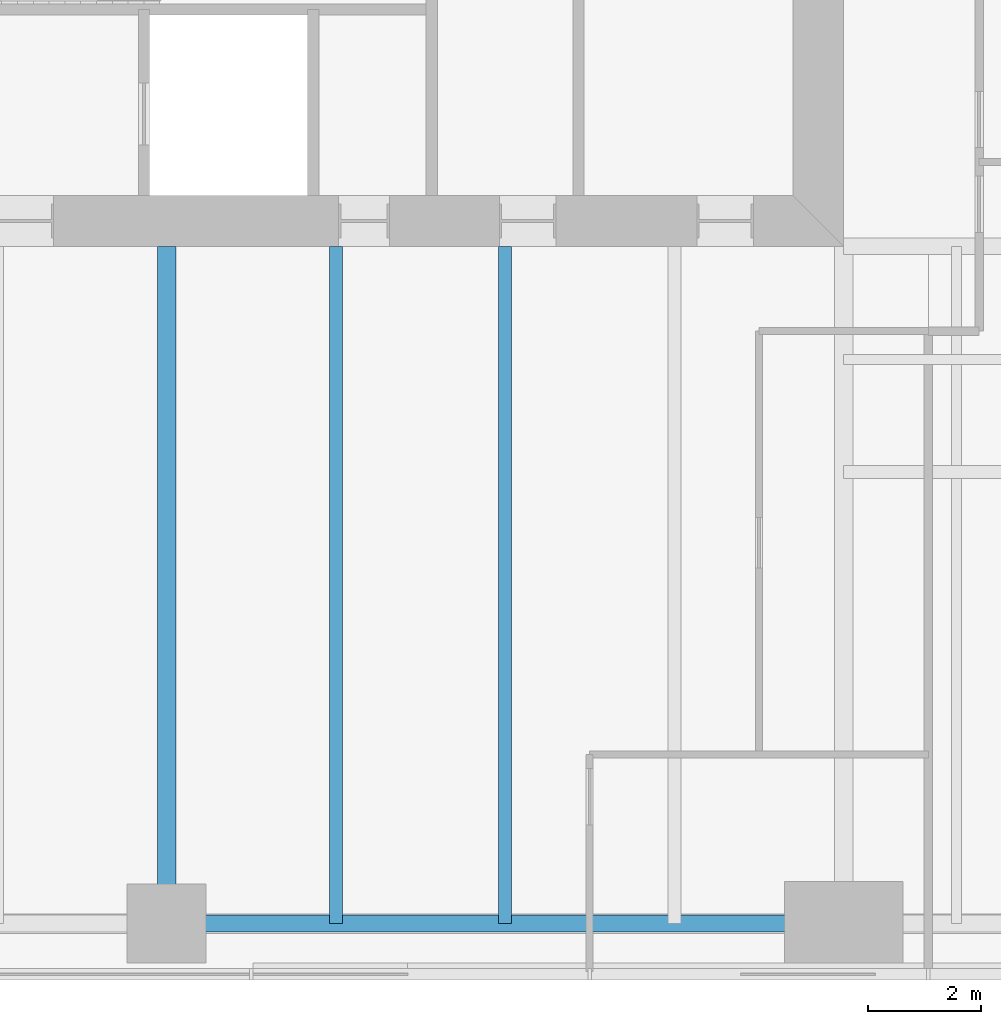
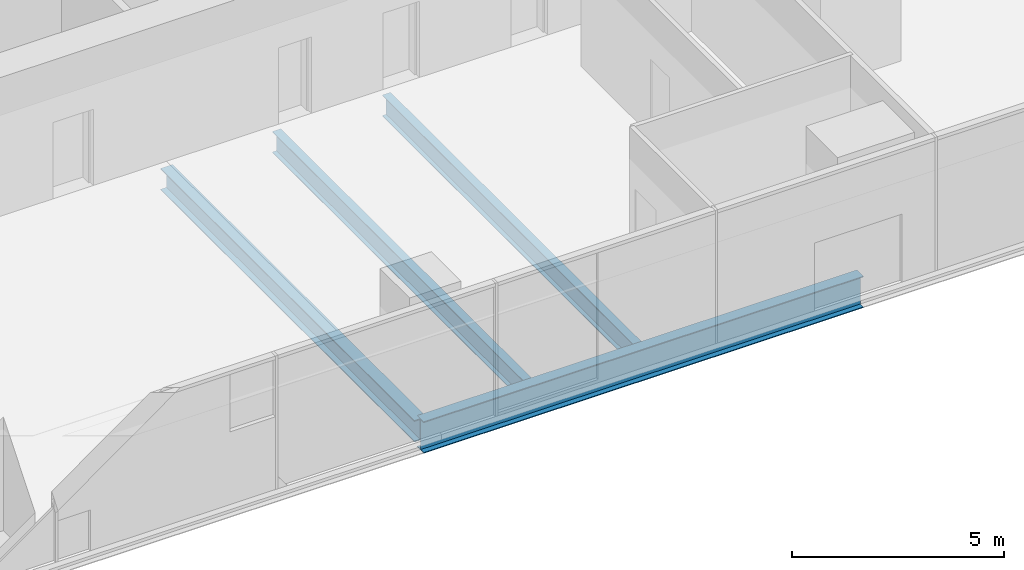
# One storey, part 3 of 14: 4 beams.
"""IFC4 building model written with IfcOpenShell, lengths in metres."""

from ifc_helpers import new_model, si_unit, direction, frame, origin, origin_2d, place, context, subcontext, project, spatial, i_section, extrude, material, material_profile, profile_set, type_object, element, save


model = new_model("IFC4")

# Units and contexts
model_context = context("Model", 3, precision=1e-05, world=origin(), true_north=direction((0.0, 1.0)))
body_context = subcontext(model_context, "Body", "Model", "MODEL_VIEW")
ifc_project = project(units=[si_unit("LENGTHUNIT", "METRE"), si_unit("AREAUNIT", "SQUARE_METRE"), si_unit("VOLUMEUNIT", "CUBIC_METRE"), si_unit("PLANEANGLEUNIT", "RADIAN"), si_unit("MASSUNIT", "GRAM", prefix="KILO")], contexts=[model_context])

# Site, building, storey
site_placement = place(None, origin())
site = spatial("IfcSite", under=ifc_project, at=site_placement, CompositionType="ELEMENT")
building_placement = place(site_placement, origin())
building = spatial("IfcBuilding", under=site, at=building_placement, Name="Fenwick Lantern Interchange", CompositionType="ELEMENT")
storey_placement = place(building_placement, frame((0.0, 0.0, 122.39990234375)))
storey = spatial("IfcBuildingStorey", under=building, at=storey_placement, Name="L28", CompositionType="ELEMENT", Elevation=122.39990234375)

# Beams
ifc_material = material(Name="Steel ASTM A992 Grade 50", Category="steel")
ifc_material_profile_1 = material_profile(ifc_material, i_section(OverallWidth=0.3046875, OverallDepth=0.911865234375, WebThickness=0.015869140625, FlangeThickness=0.02392578125, at=origin_2d()), Name="W36X150")
ifc_profile_set_1 = profile_set([ifc_material_profile_1], Name="Steel ASTM A992 Grade 50")
beam_type_1 = type_object("IfcBeamType", Name="EDGE BEAM W36X150", PredefinedType="SPANDREL", material=ifc_profile_set_1)
beam_1_placement = place(storey_placement, frame((25.0, 1.0, -0.605712890625), z_axis=(1.0, 0.0, 0.0), x_axis=(0.0, 1.0, 0.0)))
element("IfcBeam", 1, at=beam_1_placement, inside=storey, type_object=beam_type_1, Name="L28/FR/S/EB3", PredefinedType="SPANDREL", context=body_context, shape_type="SweptSolid", body=[
    extrude(i_section(OverallWidth=0.3046875, OverallDepth=0.911865234375, WebThickness=0.015869140625, FlangeThickness=0.02392578125, at=origin_2d()), origin(), (0.0, 0.0, 1.0), 12.0),
])
ifc_material_profile_2 = material_profile(ifc_material, i_section(OverallWidth=0.22900390625, OverallDepth=0.612060546875, WebThickness=0.011962890625, FlangeThickness=0.01953125, at=origin_2d()), Name="W24X84")
ifc_profile_set_2 = profile_set([ifc_material_profile_2], Name="Steel ASTM A992 Grade 50")
beam_type_2 = type_object("IfcBeamType", Name="FLOOR BEAM W24X84", PredefinedType="BEAM", material=ifc_profile_set_2)
for number, where, z_axis, x_axis, name in (
    (2, (28.0, 1.0, -0.4560546875), (0.0, 1.0, 0.0), (-1.0, 0.0, 0.0), "L28/FR/S/R06"),
    (3, (31.0, 1.0, -0.4560546875), (0.0, 1.0, 0.0), (-1.0, 0.0, 0.0), "L28/FR/S/R07"),
):
    element("IfcBeam", number, at=place(storey_placement, frame(where, z_axis=z_axis, x_axis=x_axis)), inside=storey, type_object=beam_type_2, Name=name, PredefinedType="BEAM", context=body_context, shape_type="SweptSolid", body=[
        extrude(i_section(OverallWidth=0.22900390625, OverallDepth=0.612060546875, WebThickness=0.011962890625, FlangeThickness=0.01953125, at=origin_2d()), origin(), (0.0, 0.0, 1.0), 12.0),
    ])
ifc_material_profile_3 = material_profile(ifc_material, i_section(OverallWidth=0.32763671875, OverallDepth=0.622314453125, WebThickness=0.015380859375, FlangeThickness=0.0244140625, at=origin_2d()), Name="W24X131")
ifc_profile_set_3 = profile_set([ifc_material_profile_3], Name="Steel ASTM A992 Grade 50")
beam_type_3 = type_object("IfcBeamType", Name="MOMENT-CONNECTED GIRDER W24X131", PredefinedType="BEAM", material=ifc_profile_set_3)
beam_2_placement = place(storey_placement, frame((25.0, 1.0, -0.4609375), z_axis=(0.0, 1.0, 0.0), x_axis=(-1.0, 0.0, 0.0)))
element("IfcBeam", 4, at=beam_2_placement, inside=storey, type_object=beam_type_3, Name="L28/FR/S/R05", PredefinedType="BEAM", context=body_context, shape_type="SweptSolid", body=[
    extrude(i_section(OverallWidth=0.32763671875, OverallDepth=0.622314453125, WebThickness=0.015380859375, FlangeThickness=0.0244140625, at=origin_2d()), origin(), (0.0, 0.0, 1.0), 12.0),
])

save(model, "model.ifc")
